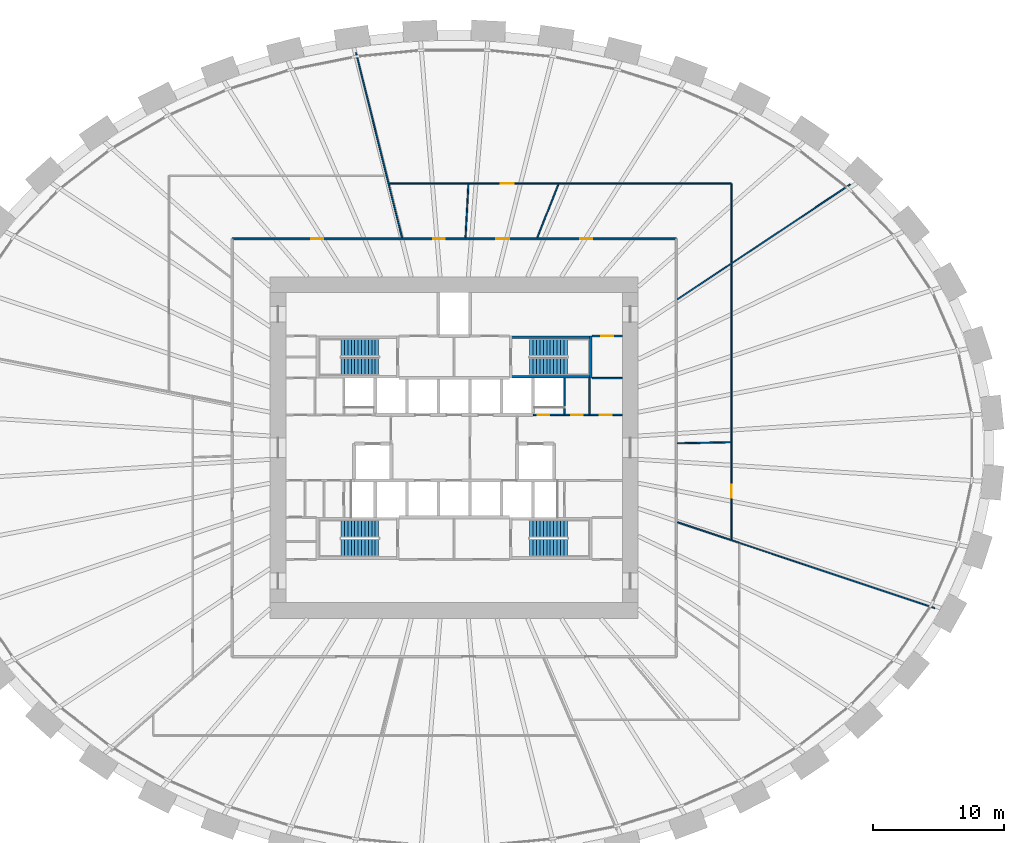
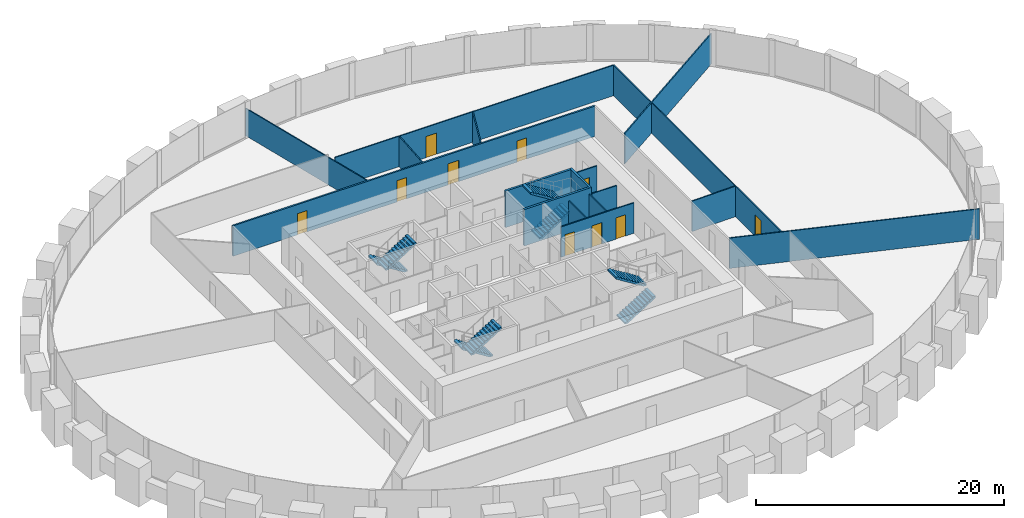
# One storey, part 9 of 10: 17 walls, 10 doors, 8 stair flights, 10 openings, 4 elements without a shape of their own.
"""IFC4 building model written with IfcOpenShell, lengths in metres."""

from ifc_helpers import new_model, si_unit, direction, frame, frame_2d, origin, place, context, subcontext, project, spatial, polyline, rectangle, outline, extrude, source, transform, mapped, material, layer, layer_set, type_object, element, fill, aggregate, save


model = new_model("IFC4")

# Units and contexts
model_context = context("Model", 3, precision=1e-05, world=origin(), true_north=direction((0.0, 1.0)))
body_context = subcontext(model_context, "Body", "Model", "MODEL_VIEW")
ifc_project = project(units=[si_unit("LENGTHUNIT", "METRE"), si_unit("AREAUNIT", "SQUARE_METRE"), si_unit("VOLUMEUNIT", "CUBIC_METRE"), si_unit("PLANEANGLEUNIT", "RADIAN"), si_unit("MASSUNIT", "GRAM", prefix="KILO")], contexts=[model_context])

# Site, building, storey
site_placement = place(None, origin())
site = spatial("IfcSite", under=ifc_project, at=site_placement, CompositionType="ELEMENT")
building_placement = place(site_placement, origin())
building = spatial("IfcBuilding", under=site, at=building_placement, Name="Embergate Tower", CompositionType="ELEMENT")
storey_placement = place(building_placement, frame((0.0, 0.0, 97.10009765625)))
storey = spatial("IfcBuildingStorey", under=building, at=storey_placement, Name="L20", CompositionType="ELEMENT", Elevation=97.10009765625)

# Wall, openings, doors
ifc_material_1 = material(Name="Core partition blockwork 120")
ifc_layer_1 = layer(ifc_material_1, 0.1201171875)
ifc_layer_set_1 = layer_set([ifc_layer_1], Name="Core partition blockwork 120")
wall_type_1 = type_object("IfcWallType", Name="Core partition blockwork 120", PredefinedType="PARTITIONING", material=ifc_layer_set_1)
shared_shape_1 = source(origin(), body_context, "Body", "SweptSolid", [
    extrude(rectangle(XDim=6.800048828125, YDim=0.1201171875, at=frame_2d((3.39990234375, 0.0))), origin(), (0.0, 0.0, 1.0), 3.0),
])
wall_1_placement = place(storey_placement, frame((6.0, 2.5, 0.0), z_axis=(0.0, 0.0, 1.0), x_axis=(1.0, 0.0, 0.0)))
wall_1 = element("IfcWall", 1, at=wall_1_placement, inside=storey, type_object=wall_type_1, Name="IP-3 wall", PredefinedType="PARTITIONING", context=body_context, shape_type="MappedRepresentation", body=[
    mapped(shared_shape_1, transform((0.0, 0.0, 0.0))),
])
shared_shape_2 = source(origin(), body_context, "Body", "SweptSolid", [
    extrude(rectangle(XDim=0.89990234375, YDim=2.10009765625, at=frame_2d((0.449951171875, 1.050048828125))), frame((0.0, 0.070068359375, 0.0), z_axis=(0.0, -1.0, 0.0), x_axis=(1.0, 0.0, 0.0)), (0.0, 0.0, 1.0), 0.14013671875),
])
opening_1_placement = place(wall_1_placement, frame((0.35009765625, 0.0, 0.0)))
opening_1 = element("IfcOpeningElement", 2, at=opening_1_placement, cuts=wall_1, Name="Opening ID-1", PredefinedType="OPENING", context=body_context, shape_type="MappedRepresentation", body=[
    mapped(shared_shape_2, transform((0.0, 0.0, 0.0))),
])
opening_2_placement = place(wall_1_placement, frame((2.89599609375, 0.0, 0.0)))
opening_2 = element("IfcOpeningElement", 3, at=opening_2_placement, cuts=wall_1, Name="Opening ID-1", PredefinedType="OPENING", context=body_context, shape_type="MappedRepresentation", body=[
    mapped(shared_shape_2, transform((0.0, 0.0, 0.0))),
])
opening_3_placement = place(wall_1_placement, frame((5.095947265625, 0.0, 0.0)))
opening_3 = element("IfcOpeningElement", 4, at=opening_3_placement, cuts=wall_1, Name="Opening ID-1", PredefinedType="OPENING", context=body_context, shape_type="MappedRepresentation", body=[
    mapped(shared_shape_2, transform((0.0, 0.0, 0.0))),
])
ifc_material_2 = material(Name="Interior door 900")
door_type_1 = type_object("IfcDoorType", Name="Interior door 900", OperationType="SINGLE_SWING_LEFT", PredefinedType="DOOR", material=ifc_material_2)
shared_shape_3 = source(origin(), body_context, "Body", "SweptSolid", [
    extrude(rectangle(XDim=0.89990234375, YDim=2.10009765625, at=frame_2d((0.449951171875, 1.050048828125))), frame((0.0, 0.02490234375, 0.0), z_axis=(0.0, -1.0, 0.0), x_axis=(1.0, 0.0, 0.0)), (0.0, 0.0, 1.0), 0.050048828125),
])
door_1_placement = place(opening_1_placement, origin())
door_1 = element("IfcDoor", 5, at=door_1_placement, inside=storey, type_object=door_type_1, Name="ID-1 door", OperationType="SINGLE_SWING_LEFT", OverallHeight=2.10009765625, OverallWidth=0.89990234375, PredefinedType="DOOR", context=body_context, shape_type="MappedRepresentation", body=[
    mapped(shared_shape_3, transform((0.0, 0.0, 0.0))),
])
fill(opening_1, door_1)
door_2_placement = place(opening_2_placement, origin())
door_2 = element("IfcDoor", 6, at=door_2_placement, inside=storey, type_object=door_type_1, Name="ID-1 door", OperationType="SINGLE_SWING_LEFT", OverallHeight=2.10009765625, OverallWidth=0.89990234375, PredefinedType="DOOR", context=body_context, shape_type="MappedRepresentation", body=[
    mapped(shared_shape_3, transform((0.0, 0.0, 0.0))),
])
fill(opening_2, door_2)
door_3_placement = place(opening_3_placement, origin())
door_3 = element("IfcDoor", 7, at=door_3_placement, inside=storey, type_object=door_type_1, Name="ID-1 door", OperationType="SINGLE_SWING_RIGHT", OverallHeight=2.10009765625, OverallWidth=0.89990234375, PredefinedType="DOOR", context=body_context, shape_type="MappedRepresentation", body=[
    mapped(shared_shape_3, transform((0.0, 0.0, 0.0))),
])
fill(opening_3, door_3)

# Walls
shared_shape_4 = source(origin(), body_context, "Body", "SweptSolid", [
    extrude(rectangle(XDim=2.739990234375, YDim=0.1201171875, at=frame_2d((1.3701171875, 0.0))), origin(), (0.0, 0.0, 1.0), 3.0),
])
for number, where, z_axis, x_axis, name in (
    (8, (8.39990234375, 2.56005859375, 0.0), (0.0, 0.0, 1.0), (0.0, 1.0, 0.0), "IP-3 wall"),
    (9, (10.2919921875, 2.56005859375, 0.0), (0.0, 0.0, 1.0), (0.0, 1.0, 0.0), "IP-3 wall"),
):
    element("IfcWall", number, at=place(storey_placement, frame(where, z_axis=z_axis, x_axis=x_axis)), inside=storey, type_object=wall_type_1, Name=name, PredefinedType="PARTITIONING", context=body_context, shape_type="MappedRepresentation", body=[
        mapped(shared_shape_4, transform((0.0, 0.0, 0.0))),
    ])

# Wall, opening, door
shared_shape_5 = source(origin(), body_context, "Body", "SweptSolid", [
    extrude(rectangle(XDim=2.300048828125, YDim=0.1201171875, at=frame_2d((1.14990234375, 0.0))), origin(), (0.0, 0.0, 1.0), 3.0),
])
wall_2_placement = place(storey_placement, frame((10.5, 8.5, 0.0), z_axis=(0.0, 0.0, 1.0), x_axis=(1.0, 0.0, 0.0)))
wall_2 = element("IfcWall", 10, at=wall_2_placement, inside=storey, type_object=wall_type_1, Name="IP-3 wall", PredefinedType="PARTITIONING", context=body_context, shape_type="MappedRepresentation", body=[
    mapped(shared_shape_5, transform((0.0, 0.0, 0.0))),
])
opening_4_placement = place(wall_2_placement, frame((0.699951171875, 0.0, 0.0)))
opening_4 = element("IfcOpeningElement", 11, at=opening_4_placement, cuts=wall_2, Name="Opening ID-1", PredefinedType="OPENING", context=body_context, shape_type="MappedRepresentation", body=[
    mapped(shared_shape_2, transform((0.0, 0.0, 0.0))),
])
door_4_placement = place(opening_4_placement, origin())
door_4 = element("IfcDoor", 12, at=door_4_placement, inside=storey, type_object=door_type_1, Name="ID-1 door", OperationType="SINGLE_SWING_RIGHT", OverallHeight=2.10009765625, OverallWidth=0.89990234375, PredefinedType="DOOR", context=body_context, shape_type="MappedRepresentation", body=[
    mapped(shared_shape_3, transform((0.0, 0.0, 0.0))),
])
fill(opening_4, door_4)

# Wall
wall_3_placement = place(storey_placement, frame((12.800048828125, 5.300048828125, 0.0), z_axis=(0.0, 0.0, 1.0), x_axis=(-1.0, 0.0, 0.0)))
element("IfcWall", 13, at=wall_3_placement, inside=storey, type_object=wall_type_1, Name="IP-3 wall", PredefinedType="PARTITIONING", context=body_context, shape_type="MappedRepresentation", body=[
    mapped(shared_shape_5, transform((0.0, 0.0, 0.0))),
])

# Wall, openings, doors
ifc_material_3 = material(Name="Corridor wall dry-lined 150")
ifc_layer_2 = layer(ifc_material_3, 0.14990234375)
ifc_layer_set_2 = layer_set([ifc_layer_2], Name="Corridor wall dry-lined 150")
wall_type_2 = type_object("IfcWallType", Name="Corridor wall dry-lined 150", PredefinedType="PARTITIONING", material=ifc_layer_set_2)
shared_shape_6 = source(origin(), body_context, "Body", "SweptSolid", [
    extrude(rectangle(XDim=33.7998046875, YDim=0.14990234375, at=frame_2d((16.89990234375, 0.0))), origin(), (0.0, 0.0, 1.0), 3.0),
])
wall_4_placement = place(storey_placement, frame((-16.89990234375, 15.89990234375, 0.0), z_axis=(0.0, 0.0, 1.0), x_axis=(1.0, 0.0, 0.0)))
wall_4 = element("IfcWall", 14, at=wall_4_placement, inside=storey, type_object=wall_type_2, Name="IP-2 wall", PredefinedType="PARTITIONING", context=body_context, shape_type="MappedRepresentation", body=[
    mapped(shared_shape_6, transform((0.0, 0.0, 0.0))),
])
shared_shape_7 = source(origin(), body_context, "Body", "SweptSolid", [
    extrude(rectangle(XDim=0.89990234375, YDim=2.10009765625, at=frame_2d((0.449951171875, 1.050048828125))), frame((0.0, 0.0849609375, 0.0), z_axis=(0.0, -1.0, 0.0), x_axis=(1.0, 0.0, 0.0)), (0.0, 0.0, 1.0), 0.169921875),
])
opening_5_placement = place(wall_4_placement, frame((26.49609375, 0.0, 0.0)))
opening_5 = element("IfcOpeningElement", 15, at=opening_5_placement, cuts=wall_4, Name="Opening IF-1c", PredefinedType="OPENING", context=body_context, shape_type="MappedRepresentation", body=[
    mapped(shared_shape_7, transform((0.0, 0.0, 0.0))),
])
shared_shape_8 = source(origin(), body_context, "Body", "SweptSolid", [
    extrude(rectangle(XDim=1.0, YDim=2.10009765625, at=frame_2d((0.5, 1.050048828125))), frame((0.0, 0.0849609375, 0.0), z_axis=(0.0, -1.0, 0.0), x_axis=(1.0, 0.0, 0.0)), (0.0, 0.0, 1.0), 0.169921875),
])
opening_6_placement = place(wall_4_placement, frame((20.087890625, 0.0, 0.0)))
opening_6 = element("IfcOpeningElement", 16, at=opening_6_placement, cuts=wall_4, Name="Opening ID-2", PredefinedType="OPENING", context=body_context, shape_type="MappedRepresentation", body=[
    mapped(shared_shape_8, transform((0.0, 0.0, 0.0))),
])
opening_7_placement = place(wall_4_placement, frame((15.299072265625, 0.0, 0.0)))
opening_7 = element("IfcOpeningElement", 17, at=opening_7_placement, cuts=wall_4, Name="Opening IF-1c", PredefinedType="OPENING", context=body_context, shape_type="MappedRepresentation", body=[
    mapped(shared_shape_7, transform((0.0, 0.0, 0.0))),
])
opening_8_placement = place(wall_4_placement, frame((6.02392578125, 0.0, 0.0)))
opening_8 = element("IfcOpeningElement", 18, at=opening_8_placement, cuts=wall_4, Name="Opening IF-1c", PredefinedType="OPENING", context=body_context, shape_type="MappedRepresentation", body=[
    mapped(shared_shape_7, transform((0.0, 0.0, 0.0))),
])
ifc_material_4 = material(Name="Escape fire door 900")
door_type_2 = type_object("IfcDoorType", Name="Escape fire door 900", OperationType="SINGLE_SWING_LEFT", PredefinedType="DOOR", material=ifc_material_4)
door_5_placement = place(opening_5_placement, origin())
door_5 = element("IfcDoor", 19, at=door_5_placement, inside=storey, type_object=door_type_2, Name="IF-1 door", OperationType="SINGLE_SWING_LEFT", OverallHeight=2.10009765625, OverallWidth=0.89990234375, PredefinedType="DOOR", context=body_context, shape_type="MappedRepresentation", body=[
    mapped(shared_shape_3, transform((0.0, 0.0, 0.0))),
])
fill(opening_5, door_5)
door_6_placement = place(opening_7_placement, origin())
door_6 = element("IfcDoor", 20, at=door_6_placement, inside=storey, type_object=door_type_2, Name="IF-1 door", OperationType="SINGLE_SWING_RIGHT", OverallHeight=2.10009765625, OverallWidth=0.89990234375, PredefinedType="DOOR", context=body_context, shape_type="MappedRepresentation", body=[
    mapped(shared_shape_3, transform((0.0, 0.0, 0.0))),
])
fill(opening_7, door_6)
door_7_placement = place(opening_8_placement, origin())
door_7 = element("IfcDoor", 21, at=door_7_placement, inside=storey, type_object=door_type_2, Name="IF-1 door", OperationType="SINGLE_SWING_LEFT", OverallHeight=2.10009765625, OverallWidth=0.89990234375, PredefinedType="DOOR", context=body_context, shape_type="MappedRepresentation", body=[
    mapped(shared_shape_3, transform((0.0, 0.0, 0.0))),
])
fill(opening_8, door_7)
ifc_material_5 = material(Name="Interior door 1000")
door_type_3 = type_object("IfcDoorType", Name="Interior door 1000", OperationType="SINGLE_SWING_LEFT", PredefinedType="DOOR", material=ifc_material_5)
shared_shape_9 = source(origin(), body_context, "Body", "SweptSolid", [
    extrude(rectangle(XDim=1.0, YDim=2.10009765625, at=frame_2d((0.5, 1.050048828125))), frame((0.0, 0.02490234375, 0.0), z_axis=(0.0, -1.0, 0.0), x_axis=(1.0, 0.0, 0.0)), (0.0, 0.0, 1.0), 0.050048828125),
])
door_8_placement = place(opening_6_placement, origin())
door_8 = element("IfcDoor", 22, at=door_8_placement, inside=storey, type_object=door_type_3, Name="ID-2 door", OperationType="SINGLE_SWING_RIGHT", OverallHeight=2.10009765625, OverallWidth=1.0, PredefinedType="DOOR", context=body_context, shape_type="MappedRepresentation", body=[
    mapped(shared_shape_9, transform((0.0, 0.0, 0.0))),
])
fill(opening_6, door_8)

# Walls
ifc_material_6 = material(Name="Partition dry-lined 100")
ifc_layer_3 = layer(ifc_material_6, 0.10009765625)
ifc_layer_set_3 = layer_set([ifc_layer_3], Name="Partition dry-lined 100")
wall_type_3 = type_object("IfcWallType", Name="Partition dry-lined 100", PredefinedType="PARTITIONING", material=ifc_layer_set_3)
shared_shape_10 = source(origin(), body_context, "Body", "SweptSolid", [
    extrude(rectangle(XDim=20.6474609375, YDim=0.10009765625, at=frame_2d((10.32373046875, 0.0))), origin(), (0.0, 0.0, 1.0), 3.0),
])
wall_5_placement = place(storey_placement, frame((16.990966796875, -5.673095703125, 0.0), z_axis=(0.0, 0.0, 1.0), x_axis=(0.948544863026, -0.316642768474, 0.0)))
element("IfcWall", 23, at=wall_5_placement, inside=storey, type_object=wall_type_3, Name="IP-1 wall", PredefinedType="PARTITIONING", context=body_context, shape_type="MappedRepresentation", body=[
    mapped(shared_shape_10, transform((0.0, 0.0, 0.0))),
])
shared_shape_11 = source(origin(), body_context, "Body", "SweptSolid", [
    extrude(rectangle(XDim=4.07568359375, YDim=0.10009765625, at=frame_2d((2.037841796875, 0.0))), origin(), (0.0, 0.0, 1.0), 3.0),
])
wall_6_placement = place(storey_placement, frame((16.97509765625, 0.333984375, 0.0), z_axis=(0.0, 0.0, 1.0), x_axis=(0.999806968931, 0.019647515776, 0.0)))
element("IfcWall", 24, at=wall_6_placement, inside=storey, type_object=wall_type_3, Name="IP-1 wall", PredefinedType="PARTITIONING", context=body_context, shape_type="MappedRepresentation", body=[
    mapped(shared_shape_11, transform((0.0, 0.0, 0.0))),
])

# Wall, opening, door
shared_shape_12 = source(origin(), body_context, "Body", "SweptSolid", [
    extrude(rectangle(XDim=27.0751953125, YDim=0.10009765625, at=frame_2d((13.53759765625, 0.0))), origin(), (0.0, 0.0, 1.0), 3.0),
])
wall_7_placement = place(storey_placement, frame((21.10009765625, -6.97509765625, 0.0), z_axis=(0.0, 0.0, 1.0), x_axis=(0.0, 1.0, 0.0)))
wall_7 = element("IfcWall", 25, at=wall_7_placement, inside=storey, type_object=wall_type_3, Name="IP-1 wall", PredefinedType="PARTITIONING", context=body_context, shape_type="MappedRepresentation", body=[
    mapped(shared_shape_12, transform((0.0, 0.0, 0.0))),
])
shared_shape_13 = source(origin(), body_context, "Body", "SweptSolid", [
    extrude(rectangle(XDim=1.0, YDim=2.10009765625, at=frame_2d((0.5, 1.050048828125))), frame((0.0, 0.06005859375, 0.0), z_axis=(0.0, -1.0, 0.0), x_axis=(1.0, 0.0, 0.0)), (0.0, 0.0, 1.0), 0.1201171875),
])
opening_9_placement = place(wall_7_placement, frame((3.16015625, 0.0, 0.0)))
opening_9 = element("IfcOpeningElement", 26, at=opening_9_placement, cuts=wall_7, Name="Opening ID-2", PredefinedType="OPENING", context=body_context, shape_type="MappedRepresentation", body=[
    mapped(shared_shape_13, transform((0.0, 0.0, 0.0))),
])
door_9_placement = place(opening_9_placement, origin())
door_9 = element("IfcDoor", 27, at=door_9_placement, inside=storey, type_object=door_type_3, Name="ID-2 door", OperationType="SINGLE_SWING_LEFT", OverallHeight=2.10009765625, OverallWidth=1.0, PredefinedType="DOOR", context=body_context, shape_type="MappedRepresentation", body=[
    mapped(shared_shape_9, transform((0.0, 0.0, 0.0))),
])
fill(opening_9, door_9)

# Walls
shared_shape_14 = source(origin(), body_context, "Body", "SweptSolid", [
    extrude(rectangle(XDim=15.781005859375, YDim=0.10009765625, at=frame_2d((7.890625, 0.0))), origin(), (0.0, 0.0, 1.0), 3.0),
])
wall_8_placement = place(storey_placement, frame((17.0029296875, 11.299072265625, 0.0), z_axis=(0.0, 0.0, 1.0), x_axis=(0.83284439083, 0.553507200191, 0.0)))
element("IfcWall", 28, at=wall_8_placement, inside=storey, type_object=wall_type_3, Name="IP-1 wall", PredefinedType="PARTITIONING", context=body_context, shape_type="MappedRepresentation", body=[
    mapped(shared_shape_14, transform((0.0, 0.0, 0.0))),
])
shared_shape_15 = source(origin(), body_context, "Body", "SweptSolid", [
    extrude(rectangle(XDim=4.34326171875, YDim=0.10009765625, at=frame_2d((2.171630859375, 0.0))), origin(), (0.0, 0.0, 1.0), 3.0),
])
wall_9_placement = place(storey_placement, frame((6.326904296875, 15.992919921875, 0.0), z_axis=(0.0, 0.0, 1.0), x_axis=(0.367724457784, 0.929934795105, 0.0)))
element("IfcWall", 29, at=wall_9_placement, inside=storey, type_object=wall_type_3, Name="IP-1 wall", PredefinedType="PARTITIONING", context=body_context, shape_type="MappedRepresentation", body=[
    mapped(shared_shape_15, transform((0.0, 0.0, 0.0))),
])

# Wall, opening, door
shared_shape_16 = source(origin(), body_context, "Body", "SweptSolid", [
    extrude(rectangle(XDim=26.031005859375, YDim=0.10009765625, at=frame_2d((13.015625, 0.0))), origin(), (0.0, 0.0, 1.0), 3.0),
])
wall_10_placement = place(storey_placement, frame((21.10009765625, 20.10009765625, 0.0), z_axis=(0.0, 0.0, 1.0), x_axis=(-1.0, 0.0, 0.0)))
wall_10 = element("IfcWall", 30, at=wall_10_placement, inside=storey, type_object=wall_type_3, Name="IP-1 wall", PredefinedType="PARTITIONING", context=body_context, shape_type="MappedRepresentation", body=[
    mapped(shared_shape_16, transform((0.0, 0.0, 0.0))),
])
opening_10_placement = place(wall_10_placement, frame((16.556884765625, 0.0, 0.0)))
opening_10 = element("IfcOpeningElement", 31, at=opening_10_placement, cuts=wall_10, Name="Opening ID-2", PredefinedType="OPENING", context=body_context, shape_type="MappedRepresentation", body=[
    mapped(shared_shape_13, transform((0.0, 0.0, 0.0))),
])
door_10_placement = place(opening_10_placement, origin())
door_10 = element("IfcDoor", 32, at=door_10_placement, inside=storey, type_object=door_type_3, Name="ID-2 door", OperationType="SINGLE_SWING_LEFT", OverallHeight=2.10009765625, OverallWidth=1.0, PredefinedType="DOOR", context=body_context, shape_type="MappedRepresentation", body=[
    mapped(shared_shape_9, transform((0.0, 0.0, 0.0))),
])
fill(opening_10, door_10)

# Walls
shared_shape_17 = source(origin(), body_context, "Body", "SweptSolid", [
    extrude(rectangle(XDim=4.080810546875, YDim=0.10009765625, at=frame_2d((2.04052734375, 0.0))), origin(), (0.0, 0.0, 1.0), 3.0),
])
wall_11_placement = place(storey_placement, frame((0.861083984375, 15.97509765625, 0.0), z_axis=(0.0, 0.0, 1.0), x_axis=(0.053664098171, 0.998559044107, 0.0)))
element("IfcWall", 33, at=wall_11_placement, inside=storey, type_object=wall_type_3, Name="IP-1 wall", PredefinedType="PARTITIONING", context=body_context, shape_type="MappedRepresentation", body=[
    mapped(shared_shape_17, transform((0.0, 0.0, 0.0))),
])
shared_shape_18 = source(origin(), body_context, "Body", "SweptSolid", [
    extrude(rectangle(XDim=14.497802734375, YDim=0.10009765625, at=frame_2d((7.2490234375, 0.0))), origin(), (0.0, 0.0, 1.0), 2.699951171875),
])
wall_12_placement = place(storey_placement, frame((-7.469970703125, 30.056884765625, 0.0), z_axis=(0.0, 0.0, 1.0), x_axis=(0.241211996336, -0.970472448256, 0.0)))
element("IfcWall", 34, at=wall_12_placement, inside=storey, type_object=wall_type_3, Name="IP-1 wall", PredefinedType="PARTITIONING", context=body_context, shape_type="MappedRepresentation", body=[
    mapped(shared_shape_18, transform((0.0, 0.0, 0.0))),
])
ifc_material_7 = material(Name="Concrete C50", Category="concrete")
ifc_layer_4 = layer(ifc_material_7, 0.199951171875)
ifc_layer_set_4 = layer_set([ifc_layer_4], Name="Concrete C50")
wall_type_4 = type_object("IfcWallType", Name="Stair enclosure wall reinforced concrete 250", PredefinedType="SHEAR", material=ifc_layer_set_4)
shared_shape_19 = source(origin(), body_context, "Body", "SweptSolid", [
    extrude(rectangle(XDim=6.300048828125, YDim=0.199951171875, at=frame_2d((3.14990234375, 0.0))), origin(), (0.0, 0.0, 1.0), 3.599853515625),
])
for number, where, z_axis, x_axis, name in (
    (35, (10.5, 5.39990234375, 0.0), (0.0, 0.0, 1.0), (-1.0, 0.0, 0.0), "SE-1 wall"),
    (36, (10.5, 8.39990234375, 0.0), (0.0, 0.0, 1.0), (-1.0, 0.0, 0.0), "SE-1 wall"),
):
    element("IfcWall", number, at=place(storey_placement, frame(where, z_axis=z_axis, x_axis=x_axis)), inside=storey, type_object=wall_type_4, Name=name, PredefinedType="SHEAR", context=body_context, shape_type="MappedRepresentation", body=[
        mapped(shared_shape_19, transform((0.0, 0.0, 0.0))),
    ])
shared_shape_20 = source(origin(), body_context, "Body", "SweptSolid", [
    extrude(rectangle(XDim=3.199951171875, YDim=0.199951171875, at=frame_2d((1.60009765625, 0.0))), origin(), (0.0, 0.0, 1.0), 3.599853515625),
])
wall_13_placement = place(storey_placement, frame((10.39990234375, 5.300048828125, 0.0), z_axis=(0.0, 0.0, 1.0), x_axis=(0.0, 1.0, 0.0)))
element("IfcWall", 37, at=wall_13_placement, inside=storey, type_object=wall_type_4, Name="SE-1 wall", PredefinedType="SHEAR", context=body_context, shape_type="MappedRepresentation", body=[
    mapped(shared_shape_20, transform((0.0, 0.0, 0.0))),
])

# Stair, stair flights
ifc_material_8 = material(Name="Exit stair")
stair_type = type_object("IfcStairType", Name="Exit stair", PredefinedType="HALF_TURN_STAIR", material=ifc_material_8)
stair_1_placement = place(storey_placement, origin())
stair_1 = element("IfcStair", 38, at=stair_1_placement, inside=storey, type_object=stair_type, Name="L20 Exit stair 1", PredefinedType="HALF_TURN_STAIR")
ifc_material_9 = material(Name="Concrete C40", Category="concrete")
stair_flight_type = type_object("IfcStairFlightType", Name="Stair flight reinforced concrete", PredefinedType="STRAIGHT", material=ifc_material_9)
shared_shape_21 = source(origin(), body_context, "Body", "SweptSolid", [
    extrude(outline(polyline([(0.0, 0.0), (0.0, 0.16259765625), (0.260009765625, 0.16259765625), (0.260009765625, 0.324951171875), (0.52001953125, 0.324951171875), (0.52001953125, 0.487548828125), (0.780029296875, 0.487548828125), (0.780029296875, 0.64990234375), (1.0400390625, 0.64990234375), (1.0400390625, 0.8125), (1.300048828125, 0.8125), (1.300048828125, 0.97509765625), (1.56005859375, 0.97509765625), (1.56005859375, 1.137451171875), (1.820068359375, 1.137451171875), (1.820068359375, 1.300048828125), (2.080078125, 1.300048828125), (2.080078125, 1.46240234375), (2.340087890625, 1.46240234375), (2.340087890625, 1.625), (2.60009765625, 1.625), (2.60009765625, 1.78759765625), (2.860107421875, 1.78759765625), (2.860107421875, 1.949951171875), (2.860107421875, 1.61083984375), (0.28271484375, 0.0), (0.0, 0.0)])), frame((0.0, 0.675048828125, 0.0), z_axis=(0.0, -1.0, 0.0), x_axis=(1.0, 0.0, 0.0)), (0.0, 0.0, 1.0), 1.35009765625),
])
stair_flight_1_placement = place(storey_placement, frame((-5.75, 7.625, 0.0), z_axis=(0.0, 0.0, 1.0), x_axis=(-1.0, 0.0, 0.0)))
stair_flight_1 = element("IfcStairFlight", 39, at=stair_flight_1_placement, type_object=stair_flight_type, Name="ST1 flight 1", NumberOfRisers=12, NumberOfTreads=11, PredefinedType="STRAIGHT", RiserHeight=0.1625, TreadLength=0.26, context=body_context, shape_type="MappedRepresentation", body=[
    mapped(shared_shape_21, transform((0.0, 0.0, 0.0))),
])
stair_flight_2_placement = place(storey_placement, frame((-8.610107421875, 6.175048828125, 1.949951171875), z_axis=(0.0, 0.0, 1.0), x_axis=(1.0, 0.0, 0.0)))
stair_flight_2 = element("IfcStairFlight", 40, at=stair_flight_2_placement, type_object=stair_flight_type, Name="ST1 flight 2", NumberOfRisers=12, NumberOfTreads=11, PredefinedType="STRAIGHT", RiserHeight=0.1625, TreadLength=0.26, context=body_context, shape_type="MappedRepresentation", body=[
    mapped(shared_shape_21, transform((0.0, 0.0, 0.0))),
])
aggregate(stair_1, [stair_flight_1, stair_flight_2])

stair_2_placement = place(storey_placement, origin())
stair_2 = element("IfcStair", 41, at=stair_2_placement, inside=storey, type_object=stair_type, Name="L20 Exit stair 2", PredefinedType="HALF_TURN_STAIR")
stair_flight_3_placement = place(storey_placement, frame((5.75, 6.175048828125, 0.0), z_axis=(0.0, 0.0, 1.0), x_axis=(1.0, 0.0, 0.0)))
stair_flight_3 = element("IfcStairFlight", 42, at=stair_flight_3_placement, type_object=stair_flight_type, Name="ST2 flight 1", NumberOfRisers=12, NumberOfTreads=11, PredefinedType="STRAIGHT", RiserHeight=0.1625, TreadLength=0.26, context=body_context, shape_type="MappedRepresentation", body=[
    mapped(shared_shape_21, transform((0.0, 0.0, 0.0))),
])
stair_flight_4_placement = place(storey_placement, frame((8.610107421875, 7.625, 1.949951171875), z_axis=(0.0, 0.0, 1.0), x_axis=(-1.0, 0.0, 0.0)))
stair_flight_4 = element("IfcStairFlight", 43, at=stair_flight_4_placement, type_object=stair_flight_type, Name="ST2 flight 2", NumberOfRisers=12, NumberOfTreads=11, PredefinedType="STRAIGHT", RiserHeight=0.1625, TreadLength=0.26, context=body_context, shape_type="MappedRepresentation", body=[
    mapped(shared_shape_21, transform((0.0, 0.0, 0.0))),
])
aggregate(stair_2, [stair_flight_3, stair_flight_4])

stair_3_placement = place(storey_placement, origin())
stair_3 = element("IfcStair", 44, at=stair_3_placement, inside=storey, type_object=stair_type, Name="L20 Exit stair 3", PredefinedType="HALF_TURN_STAIR")
stair_flight_5_placement = place(storey_placement, frame((-5.75, -6.175048828125, 0.0), z_axis=(0.0, 0.0, 1.0), x_axis=(-1.0, 0.0, 0.0)))
stair_flight_5 = element("IfcStairFlight", 45, at=stair_flight_5_placement, type_object=stair_flight_type, Name="ST3 flight 1", NumberOfRisers=12, NumberOfTreads=11, PredefinedType="STRAIGHT", RiserHeight=0.1625, TreadLength=0.26, context=body_context, shape_type="MappedRepresentation", body=[
    mapped(shared_shape_21, transform((0.0, 0.0, 0.0))),
])
stair_flight_6_placement = place(storey_placement, frame((-8.610107421875, -7.625, 1.949951171875), z_axis=(0.0, 0.0, 1.0), x_axis=(1.0, 0.0, 0.0)))
stair_flight_6 = element("IfcStairFlight", 46, at=stair_flight_6_placement, type_object=stair_flight_type, Name="ST3 flight 2", NumberOfRisers=12, NumberOfTreads=11, PredefinedType="STRAIGHT", RiserHeight=0.1625, TreadLength=0.26, context=body_context, shape_type="MappedRepresentation", body=[
    mapped(shared_shape_21, transform((0.0, 0.0, 0.0))),
])
aggregate(stair_3, [stair_flight_5, stair_flight_6])

stair_4_placement = place(storey_placement, origin())
stair_4 = element("IfcStair", 47, at=stair_4_placement, inside=storey, type_object=stair_type, Name="L20 Exit stair 4", PredefinedType="HALF_TURN_STAIR")
stair_flight_7_placement = place(storey_placement, frame((5.75, -7.625, 0.0), z_axis=(0.0, 0.0, 1.0), x_axis=(1.0, 0.0, 0.0)))
stair_flight_7 = element("IfcStairFlight", 48, at=stair_flight_7_placement, type_object=stair_flight_type, Name="ST4 flight 1", NumberOfRisers=12, NumberOfTreads=11, PredefinedType="STRAIGHT", RiserHeight=0.1625, TreadLength=0.26, context=body_context, shape_type="MappedRepresentation", body=[
    mapped(shared_shape_21, transform((0.0, 0.0, 0.0))),
])
stair_flight_8_placement = place(storey_placement, frame((8.610107421875, -6.175048828125, 1.949951171875), z_axis=(0.0, 0.0, 1.0), x_axis=(-1.0, 0.0, 0.0)))
stair_flight_8 = element("IfcStairFlight", 49, at=stair_flight_8_placement, type_object=stair_flight_type, Name="ST4 flight 2", NumberOfRisers=12, NumberOfTreads=11, PredefinedType="STRAIGHT", RiserHeight=0.1625, TreadLength=0.26, context=body_context, shape_type="MappedRepresentation", body=[
    mapped(shared_shape_21, transform((0.0, 0.0, 0.0))),
])
aggregate(stair_4, [stair_flight_7, stair_flight_8])

save(model, "model.ifc")
